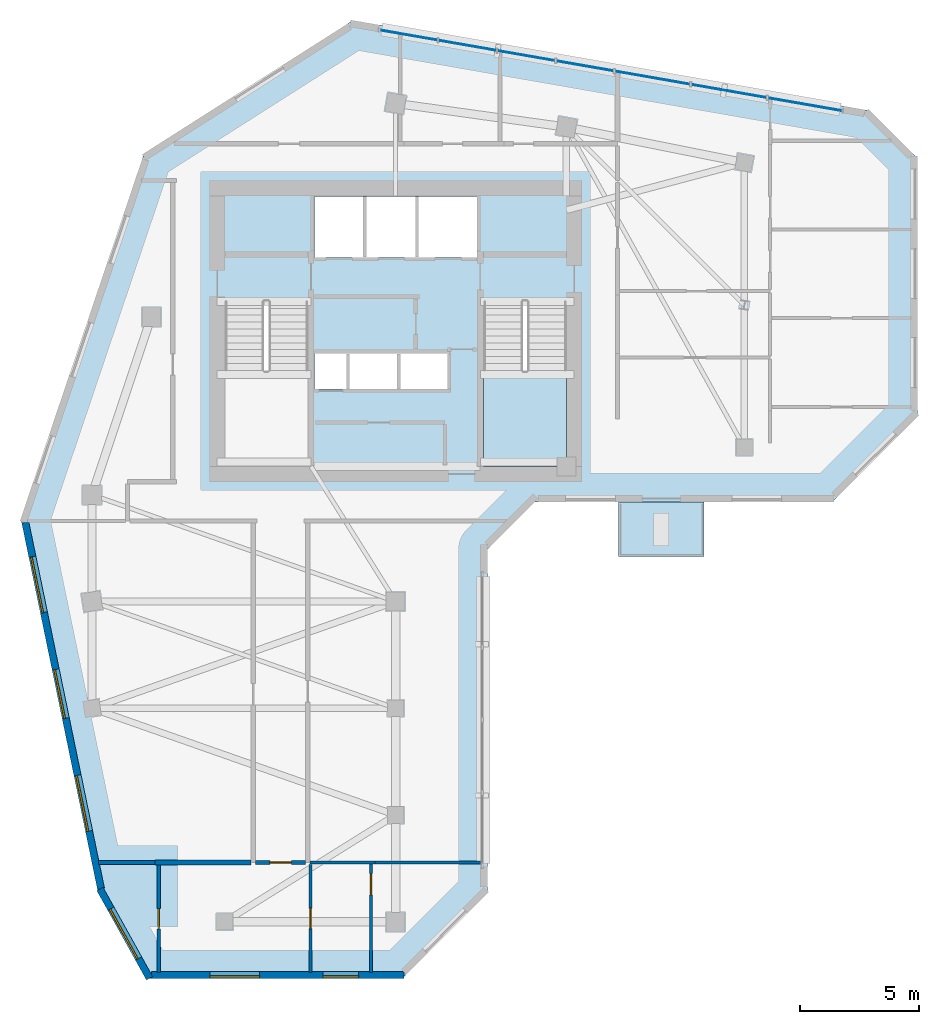
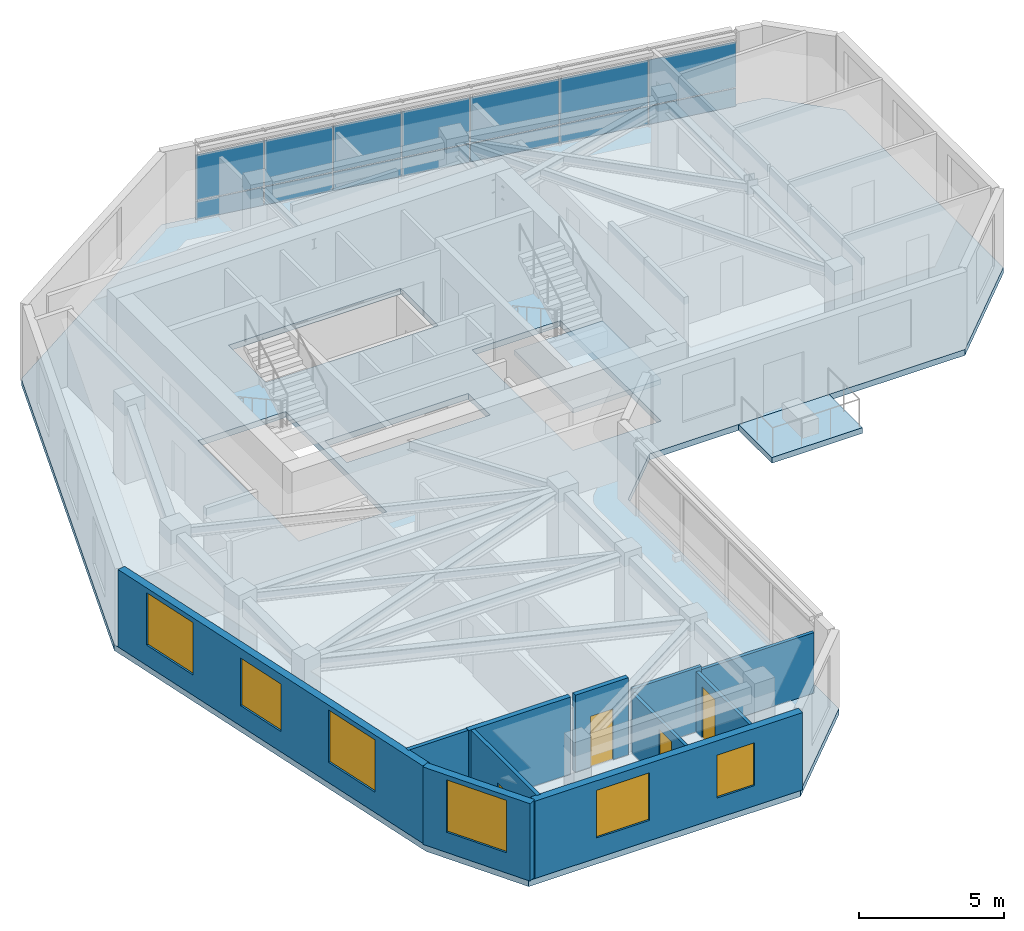
# One storey, part 3 of 9: 14 plates, 11 walls, 6 windows, 4 doors, 3 slabs, 10 openings, 2 elements without a shape of their own.
"""IFC4 building model written with IfcOpenShell, lengths in metres."""

from ifc_helpers import new_model, si_unit, direction, frame, frame_2d, origin, place, context, subcontext, project, spatial, polyline, rectangle, outline, extrude, source, transform, mapped, material, layer, layer_set, type_object, element, fill, aggregate, save


model = new_model("IFC4")

# Units and contexts
model_context = context("Model", 3, precision=1e-05, world=origin(), true_north=direction((0.0, 1.0)))
body_context = subcontext(model_context, "Body", "Model", "MODEL_VIEW")
ifc_project = project(units=[si_unit("LENGTHUNIT", "METRE"), si_unit("AREAUNIT", "SQUARE_METRE"), si_unit("VOLUMEUNIT", "CUBIC_METRE"), si_unit("PLANEANGLEUNIT", "RADIAN"), si_unit("MASSUNIT", "GRAM", prefix="KILO")], contexts=[model_context])

# Site, building, storey
site_placement = place(None, origin())
site = spatial("IfcSite", under=ifc_project, at=site_placement, CompositionType="ELEMENT")
building_placement = place(site_placement, origin())
building = spatial("IfcBuilding", under=site, at=building_placement, Name="Calvemar Wedge Station Tower", CompositionType="ELEMENT")
storey_placement = place(building_placement, frame((0.0, 0.0, 225.39990234375)))
storey = spatial("IfcBuildingStorey", under=building, at=storey_placement, Name="L57", CompositionType="ELEMENT", Elevation=225.39990234375)

# Curtain wall, plates
ifc_material_1 = material(Name="Anodised aluminium 6063-T6", Category="aluminium")
curtain_wall_type = type_object("IfcCurtainWallType", Name="CW3", PredefinedType="NOTDEFINED", material=ifc_material_1)
curtain_wall_placement = place(storey_placement, origin())
curtain_wall = element("IfcCurtainWall", 1, at=curtain_wall_placement, inside=storey, type_object=curtain_wall_type, Name="Storey L57 CW3 Recessed Unitised Curtain Wall 10", PredefinedType="NOTDEFINED")
ifc_material_2 = material(Name="Low-E laminated insulated glass", Category="glass")
ifc_layer_1 = layer(ifc_material_2, 0.028076171875)
ifc_layer_set_1 = layer_set([ifc_layer_1], Name="Low-E laminated insulated glass")
plate_type_1 = type_object("IfcPlateType", Name="CW3-GLZ", PredefinedType="CURTAIN_PANEL", material=ifc_layer_set_1)
plate_1_placement = place(storey_placement, frame((42.615966796875, 49.185791015625, 0.8701171875), z_axis=(0.0, 0.0, 1.0), x_axis=(-0.985087696251, 0.172052988044, 0.0)))
plate_1 = element("IfcPlate", 2, at=plate_1_placement, type_object=plate_type_1, Name="CW3 vision glass panel 1", PredefinedType="CURTAIN_PANEL", context=body_context, shape_type="SweptSolid", body=[
    extrude(rectangle(XDim=3.18408203125, YDim=0.028076171875, at=frame_2d((1.592041015625, 0.0))), origin(), (0.0, 0.0, 1.0), 1.909912109375),
])
plate_2_placement = place(storey_placement, frame((39.44384765625, 49.73974609375, 0.8701171875), z_axis=(0.0, 0.0, 1.0), x_axis=(-0.985090676874, 0.172035921644, 0.0)))
plate_2 = element("IfcPlate", 3, at=plate_2_placement, type_object=plate_type_1, Name="CW3 vision glass panel 2", PredefinedType="CURTAIN_PANEL", context=body_context, shape_type="SweptSolid", body=[
    extrude(rectangle(XDim=3.232666015625, YDim=0.028076171875, at=frame_2d((1.6162109375, 0.0))), origin(), (0.0, 0.0, 1.0), 1.909912109375),
])
plate_3_placement = place(storey_placement, frame((36.223876953125, 50.30224609375, 0.8701171875), z_axis=(0.0, 0.0, 1.0), x_axis=(-0.985090676874, 0.172035921644, 0.0)))
plate_3 = element("IfcPlate", 4, at=plate_3_placement, type_object=plate_type_1, Name="CW3 vision glass panel 3", PredefinedType="CURTAIN_PANEL", context=body_context, shape_type="SweptSolid", body=[
    extrude(rectangle(XDim=3.232666015625, YDim=0.028076171875, at=frame_2d((1.6162109375, 0.0))), origin(), (0.0, 0.0, 1.0), 1.909912109375),
])
plate_4_placement = place(storey_placement, frame((33.00390625, 50.86474609375, 0.8701171875), z_axis=(0.0, 0.0, 1.0), x_axis=(-0.98509358917, 0.172019244782, 0.0)))
plate_4 = element("IfcPlate", 5, at=plate_4_placement, type_object=plate_type_1, Name="CW3 vision glass panel 4", PredefinedType="CURTAIN_PANEL", context=body_context, shape_type="SweptSolid", body=[
    extrude(rectangle(XDim=2.4765625, YDim=0.028076171875, at=frame_2d((1.23828125, 0.0))), origin(), (0.0, 0.0, 1.0), 1.909912109375),
])
plate_5_placement = place(storey_placement, frame((30.52880859375, 51.297119140625, 0.8701171875), z_axis=(0.0, 0.0, 1.0), x_axis=(-0.985090671751, 0.172035950981, 0.0)))
plate_5 = element("IfcPlate", 6, at=plate_5_placement, type_object=plate_type_1, Name="CW3 vision glass panel 5", PredefinedType="CURTAIN_PANEL", context=body_context, shape_type="SweptSolid", body=[
    extrude(rectangle(XDim=2.476318359375, YDim=0.028076171875, at=frame_2d((1.23828125, 0.0))), origin(), (0.0, 0.0, 1.0), 1.909912109375),
])
plate_6_placement = place(storey_placement, frame((28.053955078125, 51.729248046875, 0.8701171875), z_axis=(0.0, 0.0, 1.0), x_axis=(-0.985075890094, 0.172120570404, 0.0)))
plate_6 = element("IfcPlate", 7, at=plate_6_placement, type_object=plate_type_1, Name="CW3 vision glass panel 6", PredefinedType="CURTAIN_PANEL", context=body_context, shape_type="SweptSolid", body=[
    extrude(rectangle(XDim=2.485107421875, YDim=0.028076171875, at=frame_2d((1.24267578125, 0.0))), origin(), (0.0, 0.0, 1.0), 1.909912109375),
])
plate_7_placement = place(storey_placement, frame((25.570556640625, 52.1630859375, 0.8701171875), z_axis=(0.0, 0.0, 1.0), x_axis=(-0.985078800149, 0.172103914825, 0.0)))
plate_7 = element("IfcPlate", 8, at=plate_7_placement, type_object=plate_type_1, Name="CW3 vision glass panel 7", PredefinedType="CURTAIN_PANEL", context=body_context, shape_type="SweptSolid", body=[
    extrude(rectangle(XDim=2.4853515625, YDim=0.028076171875, at=frame_2d((1.24267578125, 0.0))), origin(), (0.0, 0.0, 1.0), 1.909912109375),
])
ifc_material_3 = material(Name="Oxidized bronze aluminium spandrel panel 5005-H24", Category="aluminium")
ifc_layer_2 = layer(ifc_material_3, 0.0400390625)
ifc_layer_set_2 = layer_set([ifc_layer_2], Name="Oxidized bronze aluminium spandrel panel 5005-H24")
plate_type_2 = type_object("IfcPlateType", Name="CW3-SPD", PredefinedType="SHEET", material=ifc_layer_set_2)
plate_8_placement = place(storey_placement, frame((42.615966796875, 49.185791015625, 0.080078125), z_axis=(0.0, 0.0, 1.0), x_axis=(-0.985087696251, 0.172052988044, 0.0)))
plate_8 = element("IfcPlate", 9, at=plate_8_placement, type_object=plate_type_2, Name="CW3 bronze spandrel panel 1", PredefinedType="SHEET", context=body_context, shape_type="SweptSolid", body=[
    extrude(rectangle(XDim=3.18408203125, YDim=0.0400390625, at=frame_2d((1.592041015625, 0.0))), origin(), (0.0, 0.0, 1.0), 0.75),
])
plate_9_placement = place(storey_placement, frame((39.44384765625, 49.73974609375, 0.080078125), z_axis=(0.0, 0.0, 1.0), x_axis=(-0.985090676874, 0.172035921644, 0.0)))
plate_9 = element("IfcPlate", 10, at=plate_9_placement, type_object=plate_type_2, Name="CW3 bronze spandrel panel 2", PredefinedType="SHEET", context=body_context, shape_type="SweptSolid", body=[
    extrude(rectangle(XDim=3.232666015625, YDim=0.0400390625, at=frame_2d((1.6162109375, 0.0))), origin(), (0.0, 0.0, 1.0), 0.75),
])
plate_10_placement = place(storey_placement, frame((36.223876953125, 50.30224609375, 0.080078125), z_axis=(0.0, 0.0, 1.0), x_axis=(-0.985090676874, 0.172035921644, 0.0)))
plate_10 = element("IfcPlate", 11, at=plate_10_placement, type_object=plate_type_2, Name="CW3 bronze spandrel panel 3", PredefinedType="SHEET", context=body_context, shape_type="SweptSolid", body=[
    extrude(rectangle(XDim=3.232666015625, YDim=0.0400390625, at=frame_2d((1.6162109375, 0.0))), origin(), (0.0, 0.0, 1.0), 0.75),
])
plate_11_placement = place(storey_placement, frame((33.00390625, 50.86474609375, 0.080078125), z_axis=(0.0, 0.0, 1.0), x_axis=(-0.98509358917, 0.172019244782, 0.0)))
plate_11 = element("IfcPlate", 12, at=plate_11_placement, type_object=plate_type_2, Name="CW3 bronze spandrel panel 4", PredefinedType="SHEET", context=body_context, shape_type="SweptSolid", body=[
    extrude(rectangle(XDim=2.4765625, YDim=0.0400390625, at=frame_2d((1.23828125, 0.0))), origin(), (0.0, 0.0, 1.0), 0.75),
])
plate_12_placement = place(storey_placement, frame((30.52880859375, 51.297119140625, 0.080078125), z_axis=(0.0, 0.0, 1.0), x_axis=(-0.985090671751, 0.172035950981, 0.0)))
plate_12 = element("IfcPlate", 13, at=plate_12_placement, type_object=plate_type_2, Name="CW3 bronze spandrel panel 5", PredefinedType="SHEET", context=body_context, shape_type="SweptSolid", body=[
    extrude(rectangle(XDim=2.476318359375, YDim=0.0400390625, at=frame_2d((1.23828125, 0.0))), origin(), (0.0, 0.0, 1.0), 0.75),
])
plate_13_placement = place(storey_placement, frame((28.053955078125, 51.729248046875, 0.080078125), z_axis=(0.0, 0.0, 1.0), x_axis=(-0.985075890094, 0.172120570404, 0.0)))
plate_13 = element("IfcPlate", 14, at=plate_13_placement, type_object=plate_type_2, Name="CW3 bronze spandrel panel 6", PredefinedType="SHEET", context=body_context, shape_type="SweptSolid", body=[
    extrude(rectangle(XDim=2.485107421875, YDim=0.0400390625, at=frame_2d((1.24267578125, 0.0))), origin(), (0.0, 0.0, 1.0), 0.75),
])
plate_14_placement = place(storey_placement, frame((25.570556640625, 52.1630859375, 0.080078125), z_axis=(0.0, 0.0, 1.0), x_axis=(-0.985078800149, 0.172103914825, 0.0)))
plate_14 = element("IfcPlate", 15, at=plate_14_placement, type_object=plate_type_2, Name="CW3 bronze spandrel panel 7", PredefinedType="SHEET", context=body_context, shape_type="SweptSolid", body=[
    extrude(rectangle(XDim=2.4853515625, YDim=0.0400390625, at=frame_2d((1.24267578125, 0.0))), origin(), (0.0, 0.0, 1.0), 0.75),
])
aggregate(curtain_wall, [plate_8, plate_1, plate_9, plate_2, plate_10, plate_3, plate_11, plate_4, plate_12, plate_5, plate_13, plate_6, plate_14, plate_7])

# Stair, slab
ifc_material_4 = material(Name="Concrete C45", Category="concrete")
stair_type = type_object("IfcStairType", Name="ST-TYPE-3500", PredefinedType="HALF_TURN_STAIR", material=ifc_material_4)
stair_placement = place(storey_placement, origin())
stair = element("IfcStair", 16, at=stair_placement, inside=storey, type_object=stair_type, Name="L57 Pressurized Core Exit Stair ST-C2", PredefinedType="HALF_TURN_STAIR")
ifc_layer_3 = layer(ifc_material_4, 0.199951171875)
ifc_layer_set_3 = layer_set([ifc_layer_3], Name="Concrete C45")
slab_type_1 = type_object("IfcSlabType", Name="SL-STAIR-LND-200", PredefinedType="LANDING", material=ifc_layer_set_3)
slab_1_placement = place(storey_placement, frame((0.0, 0.0, 1.550048828125)))
slab_1 = element("IfcSlab", 17, at=slab_1_placement, type_object=slab_type_1, Name="ST-C2 landing 1", PredefinedType="LANDING", context=body_context, shape_type="SweptSolid", body=[
    extrude(outline(polyline([(27.5, 38.25), (27.5, 34.199951171875), (31.0, 34.199951171875), (31.0, 38.25), (27.5, 38.25)])), origin(), (0.0, 0.0, 1.0), 0.199951171875),
])
aggregate(stair, [slab_1])

# Slabs
ifc_layer_4 = layer(ifc_material_4, 0.239990234375)
ifc_layer_set_4 = layer_set([ifc_layer_4], Name="Concrete C45")
slab_type_2 = type_object("IfcSlabType", Name="SL-TERR-240", PredefinedType="FLOOR", material=ifc_layer_set_4)
slab_2_placement = place(storey_placement, frame((0.0, 0.0, -0.239990234375)))
element("IfcSlab", 18, at=slab_2_placement, inside=storey, type_object=slab_type_2, Name="Storey L57 Planted Spiral Terrace Slab", PredefinedType="FLOOR", context=body_context, shape_type="SweptSolid", body=[
    extrude(outline(polyline([(33.199951171875, 32.69189453125), (33.199951171875, 30.39208984375), (36.800048828125, 30.39208984375), (36.800048828125, 32.69189453125), (33.199951171875, 32.69189453125)])), origin(), (0.0, 0.0, 1.0), 0.239990234375),
])
ifc_material_5 = material(Name="Concrete C50", Category="concrete")
ifc_layer_5 = layer(ifc_material_5, 0.25)
ifc_layer_set_5 = layer_set([ifc_layer_5], Name="Concrete C50")
slab_type_3 = type_object("IfcSlabType", Name="SL-TYP-250", PredefinedType="FLOOR", material=ifc_layer_set_5)
slab_3_placement = place(storey_placement, frame((0.0, 0.0, -0.25)))
element("IfcSlab", 19, at=slab_3_placement, inside=storey, type_object=slab_type_3, Name="Storey L57 Structural Floor Slab", PredefinedType="FLOOR", context=body_context, shape_type="SweptSolid", body=[
    extrude(outline(polyline([(8.0, 32.0), (11.263916015625, 16.199951171875), (13.263916015625, 12.60009765625), (24.06396484375, 12.60009765625), (27.6640625, 16.199951171875), (27.6640625, 30.69189453125), (29.6640625, 32.69189453125), (42.199951171875, 32.69189453125), (45.800048828125, 36.2919921875), (45.800048828125, 47.19189453125), (43.800048828125, 49.19189453125), (22.0, 53.0), (13.199951171875, 47.39990234375), (8.0, 32.0)]), holes=[polyline([(20.10009765625, 34.199951171875), (20.10009765625, 41.14990234375), (16.60009765625, 41.14990234375), (16.60009765625, 34.199951171875), (20.10009765625, 34.199951171875)]), polyline([(27.5, 34.199951171875), (31.0, 34.199951171875), (31.0, 41.14990234375), (27.5, 41.14990234375), (27.5, 34.199951171875)]), polyline([(21.800048828125, 37.449951171875), (23.929931640625, 37.449951171875), (23.93994140625, 37.449951171875), (26.080078125, 37.449951171875), (26.080078125, 38.949951171875), (23.93994140625, 38.949951171875), (23.929931640625, 38.949951171875), (21.800048828125, 38.949951171875), (21.7900390625, 38.949951171875), (20.3798828125, 38.949951171875), (20.3798828125, 37.449951171875), (21.7900390625, 37.449951171875), (21.800048828125, 37.449951171875)]), polyline([(27.219970703125, 43.0), (27.219970703125, 45.580078125), (20.3798828125, 45.580078125), (20.3798828125, 43.0), (27.219970703125, 43.0)])]), origin(), (0.0, 0.0, 1.0), 0.25),
])

# Wall, opening, door
ifc_material_6 = material(Name="Double-stud fire-rated corridor partition")
ifc_layer_6 = layer(ifc_material_6, 0.179931640625)
ifc_layer_set_6 = layer_set([ifc_layer_6], Name="Double-stud fire-rated corridor partition")
wall_type_1 = type_object("IfcWallType", Name="W-CORR-180", PredefinedType="PARTITIONING", material=ifc_layer_set_6)
wall_1_placement = place(storey_placement, frame((20.006103515625, 17.5, 0.0), z_axis=(0.0, 0.0, 1.0), x_axis=(-1.0, 0.0, 0.0)))
wall_1 = element("IfcWall", 20, at=wall_1_placement, inside=storey, type_object=wall_type_1, Name="Storey L57 Interior Partition WL-L57-038", PredefinedType="PARTITIONING", context=body_context, shape_type="SweptSolid", body=[
    extrude(rectangle(XDim=2.112060546875, YDim=0.179931640625, at=frame_2d((1.05615234375, 0.0))), origin(), (0.0, 0.0, 1.0), 3.25),
])
shared_shape_1 = source(origin(), body_context, "Body", "SweptSolid", [
    extrude(rectangle(XDim=0.89990234375, YDim=2.14990234375, at=frame_2d((0.449951171875, 1.074951171875))), frame((0.0, 0.10009765625, 0.0), z_axis=(0.0, -1.0, 0.0), x_axis=(1.0, 0.0, 0.0)), (0.0, 0.0, 1.0), 0.199951171875),
])
opening_1_placement = place(wall_1_placement, frame((0.60595703125, 0.0, 0.0)))
opening_1 = element("IfcOpeningElement", 21, at=opening_1_placement, cuts=wall_1, Name="Opening FD-60", PredefinedType="OPENING", context=body_context, shape_type="MappedRepresentation", body=[
    mapped(shared_shape_1, transform((0.0, 0.0, 0.0), scale=1.0)),
])
ifc_material_7 = material(Name="Fire-rated acoustic timber-core entrance door EI 60", Category="wood")
door_type_1 = type_object("IfcDoorType", Name="DR-FD60-900", OperationType="NOTDEFINED", PredefinedType="DOOR", material=ifc_material_7)
shared_shape_2 = source(origin(), body_context, "Body", "SweptSolid", [
    extrude(rectangle(XDim=0.89990234375, YDim=2.14990234375, at=frame_2d((0.449951171875, 1.074951171875))), frame((0.0, 0.02490234375, 0.0), z_axis=(0.0, -1.0, 0.0), x_axis=(1.0, 0.0, 0.0)), (0.0, 0.0, 1.0), 0.050048828125),
])
door_1_placement = place(opening_1_placement, origin())
door_1 = element("IfcDoor", 22, at=door_1_placement, inside=storey, type_object=door_type_1, Name="L57 Living Dining Door", OperationType="SINGLE_SWING_RIGHT", OverallHeight=2.14990234375, OverallWidth=0.89990234375, PredefinedType="DOOR", context=body_context, shape_type="MappedRepresentation", body=[
    mapped(shared_shape_2, transform((0.0, 0.0, 0.0), scale=1.0)),
])
fill(opening_1, door_1)

# Wall
ifc_material_8 = material(Name="Twin-stud fire-rated inter-tenancy wall")
ifc_layer_7 = layer(ifc_material_8, 0.199951171875)
ifc_layer_set_7 = layer_set([ifc_layer_7], Name="Twin-stud fire-rated inter-tenancy wall")
wall_type_2 = type_object("IfcWallType", Name="W-DEMISE-200", PredefinedType="PARTITIONING", material=ifc_layer_set_7)
wall_2_placement = place(storey_placement, frame((17.7060546875, 17.5, 0.0), z_axis=(0.0, 0.0, 1.0), x_axis=(-1.0, 0.0, 0.0)))
element("IfcWall", 23, at=wall_2_placement, inside=storey, type_object=wall_type_2, Name="Storey L57 Interior Partition WL-L57-039", PredefinedType="PARTITIONING", context=body_context, shape_type="SweptSolid", body=[
    extrude(rectangle(XDim=4.050048828125, YDim=0.199951171875, at=frame_2d((2.02490234375, 0.0))), origin(), (0.0, 0.0, 1.0), 3.25),
])

# Wall, opening, window
ifc_material_9 = material(Name="Precast concrete C45", Category="concrete")
ifc_layer_8 = layer(ifc_material_9, 0.300048828125)
ifc_layer_set_8 = layer_set([ifc_layer_8], Name="Precast concrete C45")
wall_type_3 = type_object("IfcWallType", Name="W-EXT-GFRC-300", PredefinedType="SOLIDWALL", material=ifc_layer_set_8)
wall_3_placement = place(storey_placement, frame((11.33349609375, 16.3837890625, 0.0), z_axis=(0.0, 0.0, 1.0), x_axis=(0.485633305139, -0.874162623852, 0.0)))
wall_3 = element("IfcWall", 24, at=wall_3_placement, inside=storey, type_object=wall_type_3, Name="Storey L57 Bronze GFRC Exterior Wall 1", PredefinedType="SOLIDWALL", context=body_context, shape_type="SweptSolid", body=[
    extrude(rectangle(XDim=4.306884765625, YDim=0.300048828125, at=frame_2d((2.1533203125, 0.0))), origin(), (0.0, 0.0, 1.0), 3.25),
])
shared_shape_3 = source(origin(), body_context, "Body", "SweptSolid", [
    extrude(rectangle(XDim=2.39990234375, YDim=2.199951171875, at=frame_2d((1.199951171875, 1.10009765625))), frame((0.0, 0.16015625, 0.0), z_axis=(0.0, -1.0, 0.0), x_axis=(1.0, 0.0, 0.0)), (0.0, 0.0, 1.0), 0.320068359375),
])
opening_2_placement = place(wall_3_placement, frame((0.9541015625, 0.0, 0.85009765625)))
opening_2 = element("IfcOpeningElement", 25, at=opening_2_placement, cuts=wall_3, Name="Opening W1", PredefinedType="OPENING", context=body_context, shape_type="MappedRepresentation", body=[
    mapped(shared_shape_3, transform((0.0, 0.0, 0.0), scale=1.0)),
])
window_type_1 = type_object("IfcWindowType", Name="WIN-EXT-1", PartitioningType="SINGLE_PANEL", PredefinedType="WINDOW", material=ifc_material_2)
shared_shape_4 = source(origin(), body_context, "Body", "SweptSolid", [
    extrude(rectangle(XDim=2.39990234375, YDim=2.199951171875, at=frame_2d((1.199951171875, 1.10009765625))), frame((0.0, -0.014892578125, 0.0), z_axis=(0.0, -1.0, 0.0), x_axis=(1.0, 0.0, 0.0)), (0.0, 0.0, 1.0), 0.06005859375),
])
window_1_placement = place(opening_2_placement, origin())
window_1 = element("IfcWindow", 26, at=window_1_placement, inside=storey, type_object=window_type_1, Name="Storey L57 Recessed Window 1.1", OverallHeight=2.199951171875, OverallWidth=2.39990234375, PartitioningType="SINGLE_PANEL", PredefinedType="WINDOW", context=body_context, shape_type="MappedRepresentation", body=[
    mapped(shared_shape_4, transform((0.0, 0.0, 0.0), scale=1.0)),
])
fill(opening_2, window_1)

# Wall, openings, windows
wall_4_placement = place(storey_placement, frame((13.510009765625, 12.75, 0.0), z_axis=(0.0, 0.0, 1.0), x_axis=(1.0, 0.0, 0.0)))
wall_4 = element("IfcWall", 27, at=wall_4_placement, inside=storey, type_object=wall_type_3, Name="Storey L57 Bronze GFRC Exterior Wall 2", PredefinedType="SOLIDWALL", context=body_context, shape_type="SweptSolid", body=[
    extrude(rectangle(XDim=10.641845703125, YDim=0.300048828125, at=frame_2d((5.32080078125, 0.0))), origin(), (0.0, 0.0, 1.0), 3.25),
])
shared_shape_5 = source(origin(), body_context, "Body", "SweptSolid", [
    extrude(rectangle(XDim=2.10009765625, YDim=2.0, at=frame_2d((1.050048828125, 1.0))), frame((0.0, 0.16015625, 0.0), z_axis=(0.0, -1.0, 0.0), x_axis=(1.0, 0.0, 0.0)), (0.0, 0.0, 1.0), 0.320068359375),
])
opening_3_placement = place(wall_4_placement, frame((2.455078125, 0.0, 0.85009765625)))
opening_3 = element("IfcOpeningElement", 28, at=opening_3_placement, cuts=wall_4, Name="Opening W4", PredefinedType="OPENING", context=body_context, shape_type="MappedRepresentation", body=[
    mapped(shared_shape_5, transform((0.0, 0.0, 0.0), scale=1.0)),
])
shared_shape_6 = source(origin(), body_context, "Body", "SweptSolid", [
    extrude(rectangle(XDim=1.5, YDim=1.800048828125, at=frame_2d((0.75, 0.89990234375))), frame((0.0, 0.16015625, 0.0), z_axis=(0.0, -1.0, 0.0), x_axis=(1.0, 0.0, 0.0)), (0.0, 0.0, 1.0), 0.320068359375),
])
opening_4_placement = place(wall_4_placement, frame((7.22998046875, 0.0, 0.85009765625)))
opening_4 = element("IfcOpeningElement", 29, at=opening_4_placement, cuts=wall_4, Name="Opening W3", PredefinedType="OPENING", context=body_context, shape_type="MappedRepresentation", body=[
    mapped(shared_shape_6, transform((0.0, 0.0, 0.0), scale=1.0)),
])
window_type_2 = type_object("IfcWindowType", Name="WIN-EXT-4", PartitioningType="SINGLE_PANEL", PredefinedType="WINDOW", material=ifc_material_2)
shared_shape_7 = source(origin(), body_context, "Body", "SweptSolid", [
    extrude(rectangle(XDim=2.10009765625, YDim=2.0, at=frame_2d((1.050048828125, 1.0))), frame((0.0, -0.014892578125, 0.0), z_axis=(0.0, -1.0, 0.0), x_axis=(1.0, 0.0, 0.0)), (0.0, 0.0, 1.0), 0.06005859375),
])
window_2_placement = place(opening_3_placement, origin())
window_2 = element("IfcWindow", 30, at=window_2_placement, inside=storey, type_object=window_type_2, Name="Storey L57 Recessed Window 2.1", OverallHeight=2.0, OverallWidth=2.10009765625, PartitioningType="SINGLE_PANEL", PredefinedType="WINDOW", context=body_context, shape_type="MappedRepresentation", body=[
    mapped(shared_shape_7, transform((0.0, 0.0, 0.0), scale=1.0)),
])
fill(opening_3, window_2)
window_type_3 = type_object("IfcWindowType", Name="WIN-EXT-3", PartitioningType="SINGLE_PANEL", PredefinedType="WINDOW", material=ifc_material_2)
shared_shape_8 = source(origin(), body_context, "Body", "SweptSolid", [
    extrude(rectangle(XDim=1.5, YDim=1.800048828125, at=frame_2d((0.75, 0.89990234375))), frame((0.0, -0.014892578125, 0.0), z_axis=(0.0, -1.0, 0.0), x_axis=(1.0, 0.0, 0.0)), (0.0, 0.0, 1.0), 0.06005859375),
])
window_3_placement = place(opening_4_placement, origin())
window_3 = element("IfcWindow", 31, at=window_3_placement, inside=storey, type_object=window_type_3, Name="Storey L57 Recessed Window 2.2", OverallHeight=1.800048828125, OverallWidth=1.5, PartitioningType="SINGLE_PANEL", PredefinedType="WINDOW", context=body_context, shape_type="MappedRepresentation", body=[
    mapped(shared_shape_8, transform((0.0, 0.0, 0.0), scale=1.0)),
])
fill(opening_4, window_3)

wall_5_placement = place(storey_placement, frame((8.1875, 31.833984375, 0.0), z_axis=(0.0, 0.0, 1.0), x_axis=(0.202303475707, -0.979322880217, 0.0)))
wall_5 = element("IfcWall", 32, at=wall_5_placement, inside=storey, type_object=wall_type_3, Name="Storey L57 Bronze GFRC Exterior Wall 13", PredefinedType="SOLIDWALL", context=body_context, shape_type="SweptSolid", body=[
    extrude(rectangle(XDim=15.765625, YDim=0.300048828125, at=frame_2d((7.8828125, 0.0))), origin(), (0.0, 0.0, 1.0), 3.25),
])
opening_5_placement = place(wall_5_placement, frame((1.472900390625, 0.0, 0.85009765625)))
opening_5 = element("IfcOpeningElement", 33, at=opening_5_placement, cuts=wall_5, Name="Opening W1", PredefinedType="OPENING", context=body_context, shape_type="MappedRepresentation", body=[
    mapped(shared_shape_3, transform((0.0, 0.0, 0.0), scale=1.0)),
])
opening_6_placement = place(wall_5_placement, frame((6.330078125, 0.0, 0.85009765625)))
opening_6 = element("IfcOpeningElement", 34, at=opening_6_placement, cuts=wall_5, Name="Opening W4", PredefinedType="OPENING", context=body_context, shape_type="MappedRepresentation", body=[
    mapped(shared_shape_5, transform((0.0, 0.0, 0.0), scale=1.0)),
])
opening_7_placement = place(wall_5_placement, frame((10.886962890625, 0.0, 0.85009765625)))
opening_7 = element("IfcOpeningElement", 35, at=opening_7_placement, cuts=wall_5, Name="Opening W1", PredefinedType="OPENING", context=body_context, shape_type="MappedRepresentation", body=[
    mapped(shared_shape_3, transform((0.0, 0.0, 0.0), scale=1.0)),
])
window_4_placement = place(opening_6_placement, origin())
window_4 = element("IfcWindow", 36, at=window_4_placement, inside=storey, type_object=window_type_2, Name="Storey L57 Recessed Window 13.2", OverallHeight=2.0, OverallWidth=2.10009765625, PartitioningType="SINGLE_PANEL", PredefinedType="WINDOW", context=body_context, shape_type="MappedRepresentation", body=[
    mapped(shared_shape_7, transform((0.0, 0.0, 0.0), scale=1.0)),
])
fill(opening_6, window_4)
window_5_placement = place(opening_5_placement, origin())
window_5 = element("IfcWindow", 37, at=window_5_placement, inside=storey, type_object=window_type_1, Name="Storey L57 Recessed Window 13.1", OverallHeight=2.199951171875, OverallWidth=2.39990234375, PartitioningType="SINGLE_PANEL", PredefinedType="WINDOW", context=body_context, shape_type="MappedRepresentation", body=[
    mapped(shared_shape_4, transform((0.0, 0.0, 0.0), scale=1.0)),
])
fill(opening_5, window_5)
window_6_placement = place(opening_7_placement, origin())
window_6 = element("IfcWindow", 38, at=window_6_placement, inside=storey, type_object=window_type_1, Name="Storey L57 Recessed Window 13.3", OverallHeight=2.199951171875, OverallWidth=2.39990234375, PartitioningType="SINGLE_PANEL", PredefinedType="WINDOW", context=body_context, shape_type="MappedRepresentation", body=[
    mapped(shared_shape_4, transform((0.0, 0.0, 0.0), scale=1.0)),
])
fill(opening_7, window_6)

# Walls
ifc_material_10 = material(Name="Insulated acoustic gypsum stud partition")
ifc_layer_9 = layer(ifc_material_10, 0.125)
ifc_layer_set_9 = layer_set([ifc_layer_9], Name="Insulated acoustic gypsum stud partition")
wall_type_4 = type_object("IfcWallType", Name="W-PART-125", PredefinedType="PARTITIONING", material=ifc_layer_set_9)
wall_6_placement = place(storey_placement, frame((22.925048828125, 17.5, 0.0), z_axis=(0.0, 0.0, 1.0), x_axis=(-1.0, 0.0, 0.0)))
element("IfcWall", 39, at=wall_6_placement, inside=storey, type_object=wall_type_4, Name="Storey L57 Interior Partition WL-L57-041", PredefinedType="PARTITIONING", context=body_context, shape_type="SweptSolid", body=[
    extrude(rectangle(XDim=2.73095703125, YDim=0.125, at=frame_2d((1.365478515625, 0.0))), origin(), (0.0, 0.0, 1.0), 2.68798828125),
])
wall_7_placement = place(storey_placement, frame((27.39892578125, 17.5, 0.0), z_axis=(0.0, 0.0, 1.0), x_axis=(-1.0, 0.0, 0.0)))
element("IfcWall", 40, at=wall_7_placement, inside=storey, type_object=wall_type_4, Name="Storey L57 Interior Partition WL-L57-042", PredefinedType="PARTITIONING", context=body_context, shape_type="SweptSolid", body=[
    extrude(rectangle(XDim=4.471923828125, YDim=0.125, at=frame_2d((2.23583984375, 0.0))), origin(), (0.0, 0.0, 1.0), 2.5419921875),
])

# Wall, opening, door
wall_8_placement = place(storey_placement, frame((20.215087890625, 17.406005859375, 0.0), z_axis=(0.0, 0.0, 1.0), x_axis=(0.0, -1.0, 0.0)))
wall_8 = element("IfcWall", 41, at=wall_8_placement, inside=storey, type_object=wall_type_4, Name="Storey L57 Interior Partition WL-L57-044", PredefinedType="PARTITIONING", context=body_context, shape_type="SweptSolid", body=[
    extrude(rectangle(XDim=4.541015625, YDim=0.125, at=frame_2d((2.2705078125, 0.0))), origin(), (0.0, 0.0, 1.0), 2.5419921875),
])
shared_shape_9 = source(origin(), body_context, "Body", "SweptSolid", [
    extrude(rectangle(XDim=0.85009765625, YDim=2.14990234375, at=frame_2d((0.425048828125, 1.074951171875))), frame((0.0, 0.072509765625, 0.0), z_axis=(0.0, -1.0, 0.0), x_axis=(1.0, 0.0, 0.0)), (0.0, 0.0, 1.0), 0.14501953125),
])
opening_8_placement = place(wall_8_placement, frame((1.845458984375, 0.0, 0.0)))
opening_8 = element("IfcOpeningElement", 42, at=opening_8_placement, cuts=wall_8, Name="Opening D-02", PredefinedType="OPENING", context=body_context, shape_type="MappedRepresentation", body=[
    mapped(shared_shape_9, transform((0.0, 0.0, 0.0), scale=1.0)),
])
ifc_material_11 = material(Name="Moisture-sealed bathroom hardwood swing door", Category="wood")
door_type_2 = type_object("IfcDoorType", Name="DR-WET-850", OperationType="NOTDEFINED", PredefinedType="DOOR", material=ifc_material_11)
shared_shape_10 = source(origin(), body_context, "Body", "SweptSolid", [
    extrude(rectangle(XDim=0.85009765625, YDim=2.14990234375, at=frame_2d((0.425048828125, 1.074951171875))), frame((0.0, 0.02490234375, 0.0), z_axis=(0.0, -1.0, 0.0), x_axis=(1.0, 0.0, 0.0)), (0.0, 0.0, 1.0), 0.050048828125),
])
door_2_placement = place(opening_8_placement, origin())
door_2 = element("IfcDoor", 43, at=door_2_placement, inside=storey, type_object=door_type_2, Name="L57 Kitchen Door", OperationType="SINGLE_SWING_RIGHT", OverallHeight=2.14990234375, OverallWidth=0.85009765625, PredefinedType="DOOR", context=body_context, shape_type="MappedRepresentation", body=[
    mapped(shared_shape_10, transform((0.0, 0.0, 0.0), scale=1.0)),
])
fill(opening_8, door_2)

wall_9_placement = place(storey_placement, frame((22.764892578125, 17.43359375, 0.0), z_axis=(0.0, 0.0, 1.0), x_axis=(0.0, -1.0, 0.0)))
wall_9 = element("IfcWall", 44, at=wall_9_placement, inside=storey, type_object=wall_type_4, Name="Storey L57 Interior Partition WL-L57-045", PredefinedType="PARTITIONING", context=body_context, shape_type="SweptSolid", body=[
    extrude(rectangle(XDim=4.568603515625, YDim=0.125, at=frame_2d((2.2841796875, 0.0))), origin(), (0.0, 0.0, 1.0), 2.5419921875),
])
shared_shape_11 = source(origin(), body_context, "Body", "SweptSolid", [
    extrude(rectangle(XDim=0.89990234375, YDim=2.14990234375, at=frame_2d((0.449951171875, 1.074951171875))), frame((0.0, 0.072509765625, 0.0), z_axis=(0.0, -1.0, 0.0), x_axis=(1.0, 0.0, 0.0)), (0.0, 0.0, 1.0), 0.14501953125),
])
opening_9_placement = place(wall_9_placement, frame((0.404296875, 0.0, 0.0)))
opening_9 = element("IfcOpeningElement", 45, at=opening_9_placement, cuts=wall_9, Name="Opening D-01", PredefinedType="OPENING", context=body_context, shape_type="MappedRepresentation", body=[
    mapped(shared_shape_11, transform((0.0, 0.0, 0.0), scale=1.0)),
])
ifc_material_12 = material(Name="Architectural hardwood acoustic swing door", Category="wood")
door_type_3 = type_object("IfcDoorType", Name="DR-INT-900", OperationType="NOTDEFINED", PredefinedType="DOOR", material=ifc_material_12)
shared_shape_12 = source(origin(), body_context, "Body", "SweptSolid", [
    extrude(rectangle(XDim=0.89990234375, YDim=2.14990234375, at=frame_2d((0.449951171875, 1.074951171875))), frame((0.0, 0.02490234375, 0.0), z_axis=(0.0, -1.0, 0.0), x_axis=(1.0, 0.0, 0.0)), (0.0, 0.0, 1.0), 0.050048828125),
])
door_3_placement = place(opening_9_placement, origin())
door_3 = element("IfcDoor", 46, at=door_3_placement, inside=storey, type_object=door_type_3, Name="L57 Master Bedroom Door", OperationType="SINGLE_SWING_LEFT", OverallHeight=2.14990234375, OverallWidth=0.89990234375, PredefinedType="DOOR", context=body_context, shape_type="MappedRepresentation", body=[
    mapped(shared_shape_12, transform((0.0, 0.0, 0.0), scale=1.0)),
])
fill(opening_9, door_3)

# Wall
ifc_material_13 = material(Name="Moisture-resistant acoustic bathroom partition")
ifc_layer_10 = layer(ifc_material_13, 0.14990234375)
ifc_layer_set_10 = layer_set([ifc_layer_10], Name="Moisture-resistant acoustic bathroom partition")
wall_type_5 = type_object("IfcWallType", Name="W-WET-150", PredefinedType="PARTITIONING", material=ifc_layer_set_10)
wall_10_placement = place(storey_placement, frame((13.654052734375, 17.5, 0.0), z_axis=(0.0, 0.0, 1.0), x_axis=(-1.0, 0.0, 0.0)))
element("IfcWall", 47, at=wall_10_placement, inside=storey, type_object=wall_type_5, Name="Storey L57 Interior Partition WL-L57-040", PredefinedType="PARTITIONING", context=body_context, shape_type="SweptSolid", body=[
    extrude(rectangle(XDim=2.387939453125, YDim=0.14990234375, at=frame_2d((1.19384765625, 0.0))), origin(), (0.0, 0.0, 1.0), 3.25),
])

# Wall, opening, door
wall_11_placement = place(storey_placement, frame((13.81591796875, 12.864990234375, 0.0), z_axis=(0.0, 0.0, 1.0), x_axis=(0.0, 1.0, 0.0)))
wall_11 = element("IfcWall", 48, at=wall_11_placement, inside=storey, type_object=wall_type_5, Name="Storey L57 Interior Partition WL-L57-043", PredefinedType="PARTITIONING", context=body_context, shape_type="SweptSolid", body=[
    extrude(rectangle(XDim=4.531005859375, YDim=0.14990234375, at=frame_2d((2.265625, 0.0))), origin(), (0.0, 0.0, 1.0), 3.25),
])
shared_shape_13 = source(origin(), body_context, "Body", "SweptSolid", [
    extrude(rectangle(XDim=0.85009765625, YDim=2.14990234375, at=frame_2d((0.425048828125, 1.074951171875))), frame((0.0, 0.0849609375, 0.0), z_axis=(0.0, -1.0, 0.0), x_axis=(1.0, 0.0, 0.0)), (0.0, 0.0, 1.0), 0.169921875),
])
opening_10_placement = place(wall_11_placement, frame((1.840576171875, 0.0, 0.0)))
opening_10 = element("IfcOpeningElement", 49, at=opening_10_placement, cuts=wall_11, Name="Opening D-02", PredefinedType="OPENING", context=body_context, shape_type="MappedRepresentation", body=[
    mapped(shared_shape_13, transform((0.0, 0.0, 0.0), scale=1.0)),
])
door_4_placement = place(opening_10_placement, origin())
door_4 = element("IfcDoor", 50, at=door_4_placement, inside=storey, type_object=door_type_2, Name="L57 Bathroom Door", OperationType="SINGLE_SWING_LEFT", OverallHeight=2.14990234375, OverallWidth=0.85009765625, PredefinedType="DOOR", context=body_context, shape_type="MappedRepresentation", body=[
    mapped(shared_shape_10, transform((0.0, 0.0, 0.0), scale=1.0)),
])
fill(opening_10, door_4)

save(model, "model.ifc")
